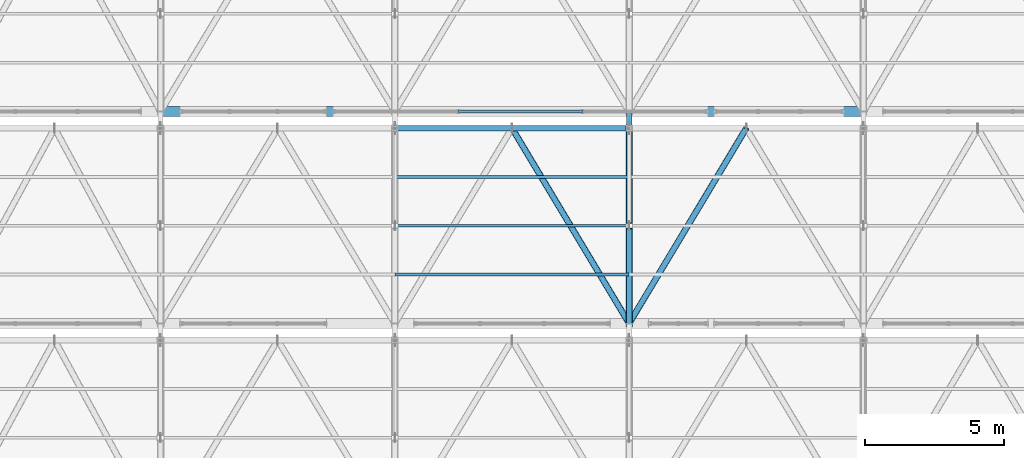
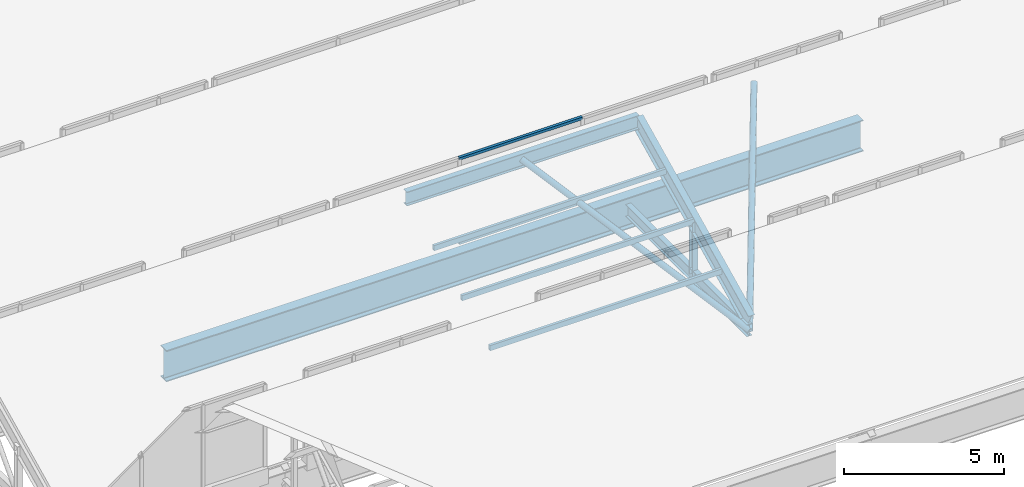
# One storey, part 25 of 57: 11 members, 1 beam, 1 element without a shape of its own.
"""IFC4 building model written with IfcOpenShell, lengths in metres."""

import ifcopenshell
import ifcopenshell.guid

model = None  # the IFC model being written
_history = None  # IfcOwnerHistory: only IFC2X3 demands one
_inside = {}  # id of a spatial element -> (the spatial element, [elements in it])
_under = {}  # id of a project, library or spatial element -> (it, [spatial elements below it])
_declared = {}  # id of a project -> (the project, [libraries it declares])
_typed = {}  # id of a type object -> (the type object, [elements of that type])
_made_of = {}  # id of a material, layer set ... -> (it, [elements and type objects made of it])


def new_model(schema):
    """Start an empty IFC model of exactly this schema.

    Asked for "IFC4X3", IfcOpenShell would pick the latest addendum, in which some entities
    have other attributes; the version numbers below select the first issue.
    IFC2X3 requires an IfcOwnerHistory on every rooted entity: one is made here for all.
    """
    global model, _history
    if schema == "IFC4X3":
        model = ifcopenshell.file(schema_version=(4, 3, 0, 0))
    else:
        model = ifcopenshell.file(schema=schema)
    _inside.clear()
    _under.clear()
    _declared.clear()
    _typed.clear()
    _made_of.clear()
    _history = None
    if model.schema == "IFC2X3":
        org = make("IfcOrganization", Name="unknown")
        user = make(
            "IfcPersonAndOrganization",
            ThePerson=make("IfcPerson", FamilyName="unknown"),
            TheOrganization=org,
        )
        app = make(
            "IfcApplication",
            ApplicationDeveloper=org,
            Version="unknown",
            ApplicationFullName="unknown",
            ApplicationIdentifier="unknown",
        )
        _history = make(
            "IfcOwnerHistory",
            OwningUser=user,
            OwningApplication=app,
            ChangeAction="ADDED",
            CreationDate=0,
        )
    return model


def make(cls, **values):
    """One entity of the class cls with the attributes given. An attribute that is None is left unset."""
    return model.create_entity(
        cls, **{name: value for name, value in values.items() if value is not None}
    )


def rooted(cls, **values):
    """An entity with a GlobalId (a new one), such as an element, a storey or a relation."""
    return make(cls, GlobalId=ifcopenshell.guid.new(), OwnerHistory=_history, **values)


def si_unit(unit_type, name, prefix=None):
    """IfcSIUnit, for example si_unit("LENGTHUNIT", "METRE", prefix="MILLI")."""
    return make("IfcSIUnit", UnitType=unit_type, Prefix=prefix, Name=name)


def assignment(units):
    """IfcUnitAssignment: the units of a project."""
    return None if units is None else make("IfcUnitAssignment", Units=units)


def point(xyz):
    """IfcCartesianPoint."""
    return None if xyz is None else make("IfcCartesianPoint", Coordinates=xyz)


def direction(xyz):
    """IfcDirection."""
    return None if xyz is None else make("IfcDirection", DirectionRatios=xyz)


def frame(location, z_axis=None, x_axis=None):
    """IfcAxis2Placement3D, a coordinate frame: its origin and axes. An axis left out is left unset."""
    return make(
        "IfcAxis2Placement3D",
        Location=point(location),
        Axis=direction(z_axis),
        RefDirection=direction(x_axis),
    )


def frame_2d(location, x_axis=None):
    """IfcAxis2Placement2D, a coordinate frame in the plane: its origin and x axis."""
    return make(
        "IfcAxis2Placement2D", Location=point(location), RefDirection=direction(x_axis)
    )


def origin():
    """The frame at (0, 0, 0) with its axes left unset."""
    return frame((0.0, 0.0, 0.0))


def origin_2d():
    """The frame at (0, 0) in the plane with its x axis left unset."""
    return frame_2d((0.0, 0.0))


def place(relative_to, where):
    """IfcLocalPlacement: puts the frame where relative to a parent placement (None: the world)."""
    return make(
        "IfcLocalPlacement", PlacementRelTo=relative_to, RelativePlacement=where
    )


def context(
    kind, dimensions, precision=None, world=None, true_north=None, identifier=None
):
    """IfcGeometricRepresentationContext, for example the 3D "Model" context."""
    return make(
        "IfcGeometricRepresentationContext",
        ContextIdentifier=identifier,
        ContextType=kind,
        CoordinateSpaceDimension=dimensions,
        Precision=precision,
        WorldCoordinateSystem=world,
        TrueNorth=true_north,
    )


def subcontext(parent, identifier, kind, view, scale=None):
    """IfcGeometricRepresentationSubContext, for example "Body" below "Model"."""
    return make(
        "IfcGeometricRepresentationSubContext",
        ContextIdentifier=identifier,
        ContextType=kind,
        ParentContext=parent,
        TargetScale=scale,
        TargetView=view,
    )


def project(units=None, contexts=None):
    """IfcProject with its units and contexts."""
    return rooted(
        "IfcProject",
        Name="project",
        RepresentationContexts=contexts,
        UnitsInContext=assignment(units),
    )


def spatial(cls, under=None, at=None, **own):
    """A site, building, storey or space (cls), placed at a placement, below another one or the project."""
    s = rooted(cls, ObjectPlacement=at, **own)
    if under is not None:
        _under.setdefault(under.id(), (under, []))[1].append(s)
    return s


def profile(cls, at=None, kind="AREA", **sizes):
    """A parametric profile (cls). Its sizes go by their IFC names, for example OverallWidth=200.0."""
    return make(cls, ProfileType=kind, Position=at, **sizes)


def hollow_rectangle(**sizes):
    """IfcRectangleHollowProfileDef."""
    return profile("IfcRectangleHollowProfileDef", **sizes)


def hollow_circle(**sizes):
    """IfcCircleHollowProfileDef."""
    return profile("IfcCircleHollowProfileDef", **sizes)


def i_section(**sizes):
    """IfcIShapeProfileDef."""
    return profile("IfcIShapeProfileDef", **sizes)


def extrude(swept, where, along, depth):
    """IfcExtrudedAreaSolid: the profile swept, set in the frame where, extruded along a direction by depth."""
    return make(
        "IfcExtrudedAreaSolid",
        SweptArea=swept,
        Position=where,
        ExtrudedDirection=direction(along),
        Depth=depth,
    )


def shape(context_of_items, identifier, shape_type, items):
    """IfcShapeRepresentation: the items that make up one representation, for example the "Body"."""
    return make(
        "IfcShapeRepresentation",
        ContextOfItems=context_of_items,
        RepresentationIdentifier=identifier,
        RepresentationType=shape_type,
        Items=items,
    )


def material(Name=None, Category=None):
    """IfcMaterial."""
    return make("IfcMaterial", Name=Name, Category=Category)


def material_profile(
    of_material, cross_section, Name=None, Category=None, Priority=None
):
    """IfcMaterialProfile: a cross section and its material."""
    return make(
        "IfcMaterialProfile",
        Name=Name,
        Material=of_material,
        Profile=cross_section,
        Priority=Priority,
        Category=Category,
    )


def profile_set(profiles, Name=None, composite=None):
    """IfcMaterialProfileSet."""
    return make(
        "IfcMaterialProfileSet",
        Name=Name,
        MaterialProfiles=profiles,
        CompositeProfile=composite,
    )


def made_of(thing, what):
    """Note that an element or type object is made of a material, layer set ...; save() writes the relation."""
    if what is not None:
        _made_of.setdefault(what.id(), (what, []))[1].append(thing)
    return thing


def type_object(cls, material=None, **own):
    """A type object (cls), such as IfcWallType, which elements share."""
    return made_of(rooted(cls, **own), material)


def element(
    cls,
    number,
    at=None,
    inside=None,
    cuts=None,
    type_object=None,
    material=None,
    context=None,
    identifier="Body",
    shape_type=None,
    held_by="IfcProductDefinitionShape",
    body=None,
    shapes=None,
    **own,
):
    """One element of the class cls, such as IfcWall. Its Tag is "e" and its number.

    at: its placement. inside: the storey or other place that contains it. cuts: it is an
    opening in that element (IfcRelVoidsElement). A single representation is given by context,
    identifier, shape_type and body (its items); several are given by shapes. held_by: the class
    of the entity that holds the representations. save() writes the other relations.
    """
    e = rooted(cls, Tag="e%d" % number, ObjectPlacement=at, **own)
    if body is not None:
        shapes = [shape(context, identifier, shape_type, body)]
    if shapes is not None:
        e.Representation = make(held_by, Representations=shapes)
    if inside is not None:
        _inside.setdefault(inside.id(), (inside, []))[1].append(e)
    if cuts is not None:
        rooted(
            "IfcRelVoidsElement", RelatingBuildingElement=cuts, RelatedOpeningElement=e
        )
    if type_object is not None:
        _typed.setdefault(type_object.id(), (type_object, []))[1].append(e)
    return made_of(e, material)


def aggregate(whole, parts):
    """IfcRelAggregates: a whole, such as a stair, and the parts it consists of."""
    return rooted("IfcRelAggregates", RelatingObject=whole, RelatedObjects=parts)


def save(model, path):
    """Write the relations noted so far, then the file.

    IfcRelAggregates (storeys below a building ...), IfcRelContainedInSpatialStructure (elements
    in a storey), IfcRelDefinesByType, IfcRelAssociatesMaterial and IfcRelDeclares: one each for
    every whole, place, type object, material and project.
    """
    for whole, parts in _under.values():
        aggregate(whole, parts)
    for where, things in _inside.values():
        rooted(
            "IfcRelContainedInSpatialStructure",
            RelatedElements=things,
            RelatingStructure=where,
        )
    for kind, things in _typed.values():
        rooted("IfcRelDefinesByType", RelatedObjects=things, RelatingType=kind)
    for what, things in _made_of.values():
        rooted("IfcRelAssociatesMaterial", RelatedObjects=things, RelatingMaterial=what)
    for by, libraries in _declared.values():
        rooted("IfcRelDeclares", RelatingContext=by, RelatedDefinitions=libraries)
    model.write(path)


model = new_model("IFC4")

# Units and contexts
model_context = context("Model", 3, precision=1e-05, world=origin(), true_north=direction((0.0, 1.0)))
body_context = subcontext(model_context, "Body", "Model", "MODEL_VIEW")
ifc_project = project(units=[si_unit("LENGTHUNIT", "METRE"), si_unit("AREAUNIT", "SQUARE_METRE"), si_unit("VOLUMEUNIT", "CUBIC_METRE"), si_unit("PLANEANGLEUNIT", "RADIAN"), si_unit("MASSUNIT", "GRAM", prefix="KILO")], contexts=[model_context])

# Site, building, storey
site_placement = place(None, origin())
site = spatial("IfcSite", under=ifc_project, at=site_placement, CompositionType="ELEMENT")
building_placement = place(site_placement, origin())
building = spatial("IfcBuilding", under=site, at=building_placement, Name="Zuvorla Pavilion Media Centre", CompositionType="ELEMENT")
storey_placement = place(building_placement, frame((0.0, 0.0, 18.0)))
storey = spatial("IfcBuildingStorey", under=building, at=storey_placement, Name="L04", CompositionType="ELEMENT", Elevation=18.0)

# Beam
ifc_material_1 = material(Name="Steel S355", Category="steel")
ifc_material_profile_1 = material_profile(ifc_material_1, i_section(OverallWidth=0.360107421875, OverallDepth=1.199951171875, WebThickness=0.02001953125, FlangeThickness=0.0380859375, FilletRadius=0.02392578125, at=origin_2d()), Name="PG 1200x360x38")
ifc_profile_set_1 = profile_set([ifc_material_profile_1], Name="Steel S355")
beam_type = type_object("IfcBeamType", Name="BM-PG1200", PredefinedType="BEAM", material=ifc_profile_set_1)
beam_placement = place(storey_placement, frame((125.60009765625, 21.199951171875, -0.887939453125), z_axis=(1.0, 0.0, 0.0), x_axis=(0.0, 1.0, 0.0)))
element("IfcBeam", 1, at=beam_placement, inside=storey, type_object=beam_type, Name="L04 beam B01 1821", PredefinedType="BEAM", context=body_context, shape_type="SweptSolid", body=[
    extrude(i_section(OverallWidth=0.360107421875, OverallDepth=1.199951171875, WebThickness=0.02001953125, FlangeThickness=0.0380859375, FilletRadius=0.02392578125, at=origin_2d()), origin(), (0.0, 0.0, 1.0), 25.199951171875),
])

# Curtain wall, members
ifc_material_2 = material(Name="Unitised anodised aluminium and solar glass curtain wall", Category="aluminium")
curtain_wall_type = type_object("IfcCurtainWallType", Name="CW-SYS-95", PredefinedType="USERDEFINED", material=ifc_material_2)
curtain_wall_placement = place(storey_placement, origin())
curtain_wall = element("IfcCurtainWall", 2, at=curtain_wall_placement, inside=storey, type_object=curtain_wall_type, Name="L04 curtain wall CW95 232", ObjectType="CURTAIN WALL", PredefinedType="USERDEFINED")
ifc_material_3 = material(Name="Anodised aluminium 6063-T6", Category="aluminium")
ifc_material_profile_2 = material_profile(ifc_material_3, hollow_rectangle(XDim=0.10009765625, YDim=0.10009765625, WallThickness=0.00439453125, at=origin_2d()), Name="ALU TRAN 100x100")
ifc_profile_set_2 = profile_set([ifc_material_profile_2], Name="Anodised aluminium 6063-T6")
member_type_1 = type_object("IfcMemberType", Name="CW-TRAN-100", PredefinedType="USERDEFINED", material=ifc_profile_set_2)
member_1_placement = place(storey_placement, frame((136.275634765625, 21.199951171875, 0.0), z_axis=(1.0, 0.0, 0.0), x_axis=(0.0, 1.0, 0.0)))
member_1 = element("IfcMember", 3, at=member_1_placement, type_object=member_type_1, Name="CW95 transom 2.1", ObjectType="TRANSOM", PredefinedType="USERDEFINED", context=body_context, shape_type="SweptSolid", body=[
    extrude(hollow_rectangle(XDim=0.10009765625, YDim=0.10009765625, WallThickness=0.00439453125, at=origin_2d()), origin(), (0.0, 0.0, 1.0), 4.44873046875),
])
member_2_placement = place(storey_placement, frame((136.275634765625, 21.199951171875, 3.219970703125), z_axis=(1.0, 0.0, 0.0), x_axis=(0.0, 1.0, 0.0)))
member_2 = element("IfcMember", 4, at=member_2_placement, type_object=member_type_1, Name="CW95 transom 2.2", ObjectType="TRANSOM", PredefinedType="USERDEFINED", context=body_context, shape_type="SweptSolid", body=[
    extrude(hollow_rectangle(XDim=0.10009765625, YDim=0.10009765625, WallThickness=0.00439453125, at=origin_2d()), origin(), (0.0, 0.0, 1.0), 4.44873046875),
])
aggregate(curtain_wall, [member_1, member_2])

# Members
ifc_material_profile_3 = material_profile(ifc_material_1, hollow_circle(Radius=0.109619140625, WallThickness=0.010009765625, at=origin_2d()), Name="CHS 219.1x10")
ifc_profile_set_3 = profile_set([ifc_material_profile_3], Name="Steel S355")
member_type_2 = type_object("IfcMemberType", Name="MEM-BRC-CHS219", PredefinedType="BRACE", material=ifc_profile_set_3)
for number, where, z_axis, x_axis, name in (
    (5, (138.199951171875, 20.60009765625, 2.882080078125), (0.46726169892, -0.778778552081, -0.418533716135), (0.857495564561, 0.514491357322, 0.0), "L04 diagonal brace TB02 602"),
    (6, (142.39990234375, 13.60009765625, -0.8798828125), (0.467282929861, 0.77876866804, 0.418528404221), (-0.857482370257, 0.514513347444, 0.0), "L04 diagonal brace TB02 607"),
):
    element("IfcMember", number, at=place(storey_placement, frame(where, z_axis=z_axis, x_axis=x_axis)), inside=storey, type_object=member_type_2, Name=name, PredefinedType="BRACE", context=body_context, shape_type="SweptSolid", body=[
        extrude(hollow_circle(Radius=0.109619140625, WallThickness=0.010009765625, at=origin_2d()), origin(), (0.0, 0.0, 1.0), 8.988525390625),
    ])
ifc_material_profile_4 = material_profile(ifc_material_1, i_section(OverallWidth=0.19140625, OverallDepth=0.4599609375, WebThickness=0.010009765625, FlangeThickness=0.01611328125, FilletRadius=0.01025390625, at=origin_2d()), Name="UB 457x191x82")
ifc_profile_set_4 = profile_set([ifc_material_profile_4], Name="Steel S355")
member_type_3 = type_object("IfcMemberType", Name="MEM-CHD-UB457", PredefinedType="CHORD", material=ifc_profile_set_4)
member_3_placement = place(storey_placement, frame((142.39990234375, 13.60009765625, -0.8798828125), z_axis=(0.0, 1.0, 0.0), x_axis=(-1.0, 0.0, 0.0)))
element("IfcMember", 7, at=member_3_placement, inside=storey, type_object=member_type_3, Name="L04 chord TC03 573", PredefinedType="CHORD", context=body_context, shape_type="SweptSolid", body=[
    extrude(i_section(OverallWidth=0.19140625, OverallDepth=0.4599609375, WebThickness=0.010009765625, FlangeThickness=0.01611328125, FilletRadius=0.01025390625, at=origin_2d()), origin(), (0.0, 0.0, 1.0), 7.599853515625),
])
ifc_material_profile_5 = material_profile(ifc_material_1, i_section(OverallWidth=0.2099609375, OverallDepth=0.53662109375, WebThickness=0.0107421875, FlangeThickness=0.017333984375, FilletRadius=0.0126953125, at=origin_2d()), Name="UB 533x210x101")
ifc_profile_set_5 = profile_set([ifc_material_profile_5], Name="Steel S355")
member_type_4 = type_object("IfcMemberType", Name="MEM-CHD-UB533", PredefinedType="CHORD", material=ifc_profile_set_5)
member_4_placement = place(storey_placement, frame((134.0, 20.60009765625, 2.882080078125), z_axis=(1.0, 0.0, 0.0), x_axis=(0.0, 1.0, 0.0)))
element("IfcMember", 8, at=member_4_placement, inside=storey, type_object=member_type_4, Name="L04 chord TC02 600", PredefinedType="CHORD", context=body_context, shape_type="SweptSolid", body=[
    extrude(i_section(OverallWidth=0.2099609375, OverallDepth=0.53662109375, WebThickness=0.0107421875, FlangeThickness=0.017333984375, FilletRadius=0.0126953125, at=origin_2d()), origin(), (0.0, 0.0, 1.0), 8.39990234375),
])
ifc_material_profile_6 = material_profile(ifc_material_1, i_section(OverallWidth=0.22900390625, OverallDepth=0.6123046875, WebThickness=0.011962890625, FlangeThickness=0.01953125, FilletRadius=0.0126953125, at=origin_2d()), Name="UB 610x229x125")
ifc_profile_set_6 = profile_set([ifc_material_profile_6], Name="Steel S355")
member_type_5 = type_object("IfcMemberType", Name="MEM-CHD-UB610", PredefinedType="CHORD", material=ifc_profile_set_6)
member_5_placement = place(storey_placement, frame((142.39990234375, 13.60009765625, -0.517822265625), z_axis=(0.0, 0.899513090263, 0.436893809117), x_axis=(-1.0, 0.0, 0.0)))
element("IfcMember", 9, at=member_5_placement, inside=storey, type_object=member_type_5, Name="L04 chord TC01 574", PredefinedType="CHORD", context=body_context, shape_type="SweptSolid", body=[
    extrude(i_section(OverallWidth=0.22900390625, OverallDepth=0.6123046875, WebThickness=0.011962890625, FlangeThickness=0.01953125, FilletRadius=0.0126953125, at=origin_2d()), origin(), (0.0, 0.0, 1.0), 7.781982421875),
])
ifc_material_profile_7 = material_profile(ifc_material_1, hollow_rectangle(XDim=0.10009765625, YDim=0.199951171875, WallThickness=0.008056640625, at=origin_2d()), Name="RHS 200x100x8")
ifc_profile_set_7 = profile_set([ifc_material_profile_7], Name="Steel S355")
member_type_6 = type_object("IfcMemberType", Name="MEM-PUR-RHS200", PredefinedType="PURLIN", material=ifc_profile_set_7)
for number, where, z_axis, x_axis, name in (
    (10, (134.0, 15.35009765625, 0.33203125), (1.0, 0.0, 0.0), (0.0, 1.0, 0.0), "L04 purlin PR01 603"),
    (11, (134.0, 17.10009765625, 1.18212890625), (1.0, 0.0, 0.0), (0.0, 1.0, 0.0), "L04 purlin PR01 604"),
    (12, (134.0, 18.85009765625, 2.031982421875), (1.0, 0.0, 0.0), (0.0, 1.0, 0.0), "L04 purlin PR01 605"),
):
    element("IfcMember", number, at=place(storey_placement, frame(where, z_axis=z_axis, x_axis=x_axis)), inside=storey, type_object=member_type_6, Name=name, PredefinedType="PURLIN", context=body_context, shape_type="SweptSolid", body=[
        extrude(hollow_rectangle(XDim=0.10009765625, YDim=0.199951171875, WallThickness=0.008056640625, at=origin_2d()), origin(), (0.0, 0.0, 1.0), 8.39990234375),
    ])
ifc_material_profile_8 = material_profile(ifc_material_1, i_section(OverallWidth=0.205810546875, OverallDepth=0.209716796875, WebThickness=0.009521484375, FlangeThickness=0.01416015625, FilletRadius=0.01025390625, at=origin_2d()), Name="UC 203x203x60")
ifc_profile_set_8 = profile_set([ifc_material_profile_8], Name="Steel S355")
member_type_7 = type_object("IfcMemberType", Name="MEM-STR-UC203", PredefinedType="STRUT", material=ifc_profile_set_8)
member_6_placement = place(storey_placement, frame((142.39990234375, 17.10009765625, -0.8798828125), z_axis=(0.0, 0.0, 1.0), x_axis=(1.0, 0.0, 0.0)))
element("IfcMember", 13, at=member_6_placement, inside=storey, type_object=member_type_7, Name="L04 vertical strut TS02 577", PredefinedType="STRUT", context=body_context, shape_type="SweptSolid", body=[
    extrude(i_section(OverallWidth=0.205810546875, OverallDepth=0.209716796875, WebThickness=0.009521484375, FlangeThickness=0.01416015625, FilletRadius=0.01025390625, at=origin_2d()), origin(), (0.0, 0.0, 1.0), 2.06201171875),
])

save(model, "model.ifc")
